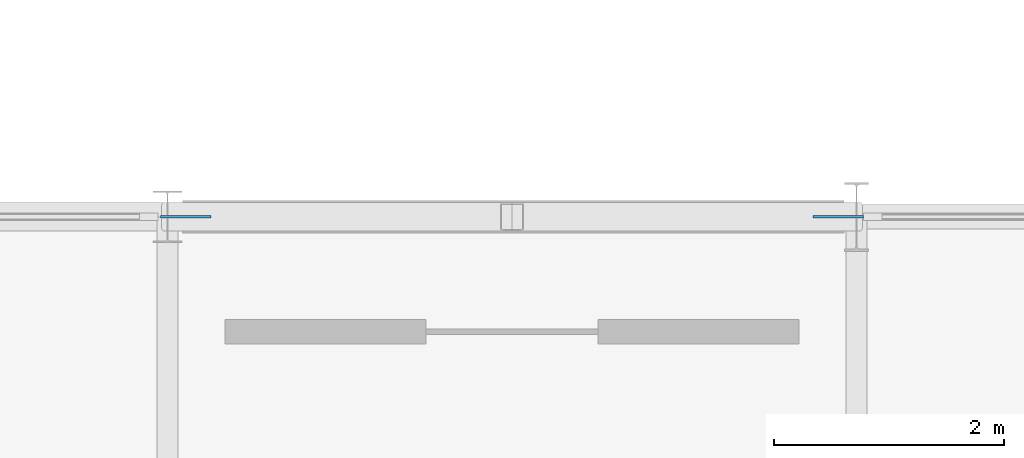
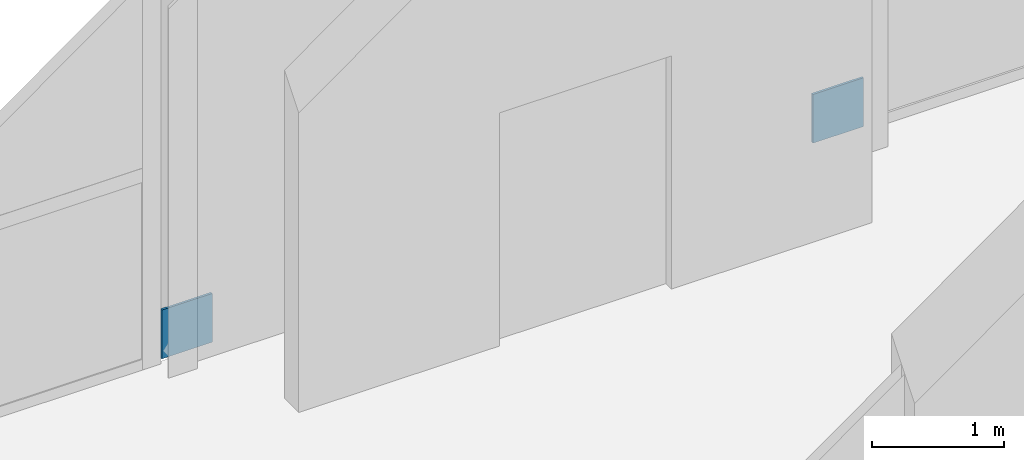
# One storey, part 69 of 84: 2 discrete accessories.
"""IFC4 building model written with IfcOpenShell, lengths in metres."""

from ifc_helpers import new_model, si_unit, direction, frame, origin, origin_2d, place, context, subcontext, project, spatial, rectangle, extrude, material, layer, layer_set, type_object, element, save


model = new_model("IFC4")

# Units and contexts
model_context = context("Model", 3, precision=1e-05, world=origin(), true_north=direction((0.0, 1.0)))
body_context = subcontext(model_context, "Body", "Model", "MODEL_VIEW")
ifc_project = project(units=[si_unit("LENGTHUNIT", "METRE"), si_unit("AREAUNIT", "SQUARE_METRE"), si_unit("VOLUMEUNIT", "CUBIC_METRE"), si_unit("PLANEANGLEUNIT", "RADIAN"), si_unit("MASSUNIT", "GRAM", prefix="KILO")], contexts=[model_context])

# Site, building, storey
site_placement = place(None, origin())
site = spatial("IfcSite", under=ifc_project, at=site_placement, CompositionType="ELEMENT")
building_placement = place(site_placement, origin())
building = spatial("IfcBuilding", under=site, at=building_placement, Name="Varnakota Square Police Headquarters", CompositionType="ELEMENT")
storey_placement = place(building_placement, frame((0.0, 0.0, 13.5)))
storey = spatial("IfcBuildingStorey", under=building, at=storey_placement, Name="L03", CompositionType="ELEMENT", Elevation=13.5)

# Discrete accessories
ifc_material = material(Name="Steel IS 2062 Grade 350", Category="steel")
ifc_layer = layer(ifc_material, 0.64990234375, Name="Steel IS 2062 Grade 350")
ifc_layer_set = layer_set([ifc_layer], Name="Steel IS 2062 Grade 350")
discrete_accessory_type = type_object("IfcDiscreteAccessoryType", Name="ACC-EMB-350", PredefinedType="BRACKET", material=ifc_layer_set)
for number, where, z_axis, x_axis, name in (
    (1, (126.159912109375, 15.0, 0.02490234375), (0.0, 0.0, 1.0), (1.0, 0.0, 0.0), "Brace gusset connection plate BF1 L03 L"),
    (2, (131.840087890625, 15.0, 0.02490234375), (0.0, 0.0, 1.0), (1.0, 0.0, 0.0), "Brace gusset connection plate BF1 L03 R"),
):
    element("IfcDiscreteAccessory", number, at=place(storey_placement, frame(where, z_axis=z_axis, x_axis=x_axis)), inside=storey, type_object=discrete_accessory_type, Name=name, PredefinedType="BRACKET", context=body_context, shape_type="SweptSolid", body=[
        extrude(rectangle(XDim=0.43994140625, YDim=0.02001953125, at=origin_2d()), origin(), (0.0, 0.0, 1.0), 0.449951171875),
    ])

save(model, "model.ifc")
